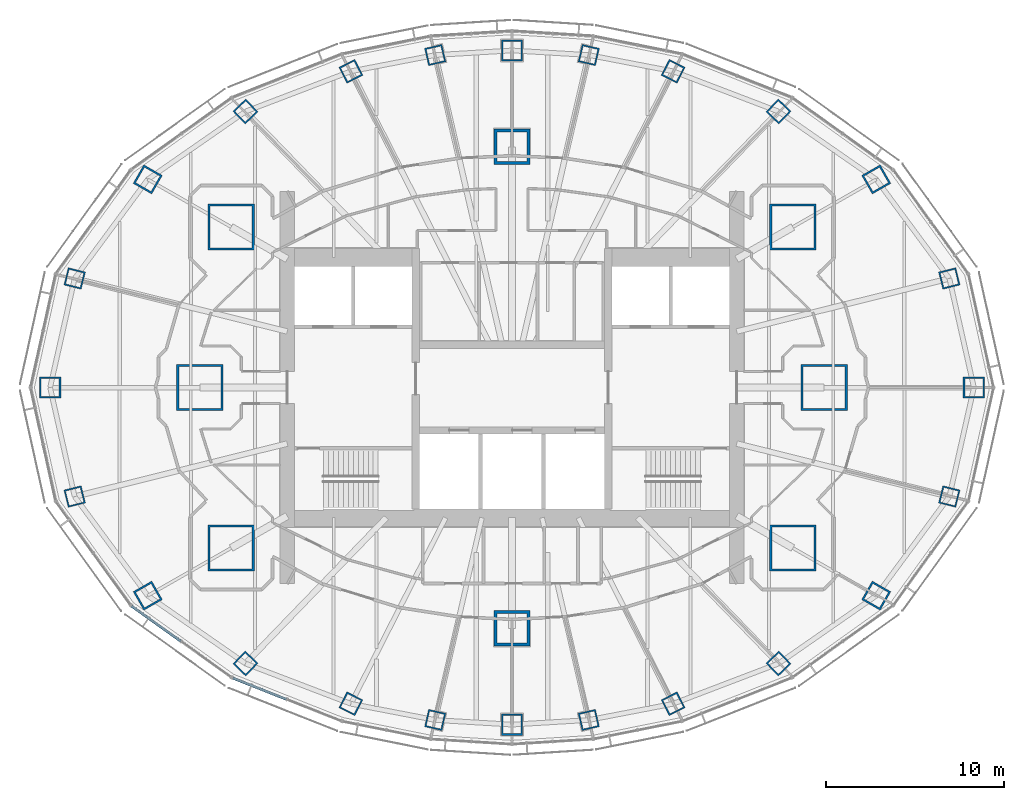
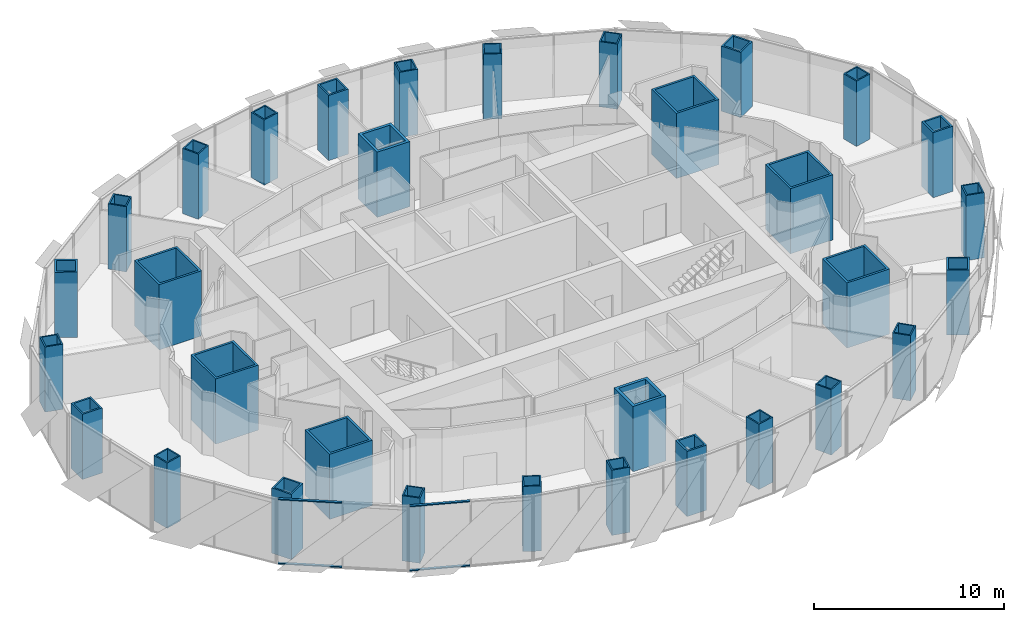
# One storey, part 1 of 19: 32 columns, 4 members, 2 elements without a shape of their own.
"""IFC4 building model written with IfcOpenShell, lengths in metres."""

from ifc_helpers import new_model, si_unit, direction, frame, origin, origin_2d, place, context, subcontext, project, spatial, rectangle, hollow_rectangle, extrude, material, material_profile, profile_set, type_object, element, aggregate, save


model = new_model("IFC4")

# Units and contexts
model_context = context("Model", 3, precision=1e-05, world=origin(), true_north=direction((0.0, 1.0)))
body_context = subcontext(model_context, "Body", "Model", "MODEL_VIEW")
ifc_project = project(units=[si_unit("LENGTHUNIT", "METRE"), si_unit("AREAUNIT", "SQUARE_METRE"), si_unit("VOLUMEUNIT", "CUBIC_METRE"), si_unit("PLANEANGLEUNIT", "RADIAN"), si_unit("MASSUNIT", "GRAM", prefix="KILO")], contexts=[model_context])

# Site, building, storey
site_placement = place(None, origin())
site = spatial("IfcSite", under=ifc_project, at=site_placement, CompositionType="ELEMENT")
building_placement = place(site_placement, origin())
building = spatial("IfcBuilding", under=site, at=building_placement, Name="Lantaw Convention Tower", CompositionType="ELEMENT")
storey_placement = place(building_placement, frame((0.0, 0.0, 249.39990234375)))
storey = spatial("IfcBuildingStorey", under=building, at=storey_placement, Name="L58", CompositionType="ELEMENT", Elevation=249.39990234375)

# Columns
ifc_material_1 = material(Name="Steel EN 10025-3 S460N", Category="steel")
ifc_material_profile_1 = material_profile(ifc_material_1, hollow_rectangle(XDim=2.0, YDim=2.0, WallThickness=0.169921875, at=origin_2d()), Name="BOX2000X170")
ifc_material_2 = material(Name="Concrete C60/75", Category="concrete")
ifc_material_profile_2 = material_profile(ifc_material_2, rectangle(XDim=1.659912109375, YDim=1.659912109375, at=origin_2d()), Name="Concrete fill of BOX2000X170")
ifc_profile_set_1 = profile_set([ifc_material_profile_1, ifc_material_profile_2], Name="Steel EN 10025-3 S460N")
column_type_1 = type_object("IfcColumnType", Name="Column MC BOX2000X170", PredefinedType="COLUMN", material=ifc_profile_set_1)
for number, where, z_axis, x_axis, name in (
    (1, (0.0, 13.5, 0.0), (0.0, 0.0, 1.0), (1.0, 0.0, 0.0), "Mega column M3"),
    (2, (0.0, -13.5, 0.0), (0.0, 0.0, 1.0), (1.0, 0.0, 0.0), "Mega column M7"),
):
    element("IfcColumn", number, at=place(storey_placement, frame(where, z_axis=z_axis, x_axis=x_axis)), inside=storey, type_object=column_type_1, Name=name, PredefinedType="COLUMN", context=body_context, shape_type="SweptSolid", body=[
        extrude(hollow_rectangle(XDim=2.0, YDim=2.0, WallThickness=0.169921875, at=origin_2d()), origin(), (0.0, 0.0, 1.0), 4.2001953125),
    ])
ifc_material_profile_3 = material_profile(ifc_material_1, hollow_rectangle(XDim=2.60009765625, YDim=2.60009765625, WallThickness=0.1298828125, at=origin_2d()), Name="BOX2600X130")
ifc_material_profile_4 = material_profile(ifc_material_2, rectangle(XDim=2.340087890625, YDim=2.340087890625, at=origin_2d()), Name="Concrete fill of BOX2600X130")
ifc_profile_set_2 = profile_set([ifc_material_profile_3, ifc_material_profile_4], Name="Steel EN 10025-3 S460N")
column_type_2 = type_object("IfcColumnType", Name="Column MC BOX2600X130", PredefinedType="COLUMN", material=ifc_profile_set_2)
for number, where, z_axis, x_axis, name in (
    (3, (17.5, 0.0, 0.0), (0.0, 0.0, 1.0), (1.0, 0.0, 0.0), "Mega column M1"),
    (4, (15.75, 9.0, 0.0), (0.0, 0.0, 1.0), (1.0, 0.0, 0.0), "Mega column M2"),
    (5, (-15.75, 9.0, 0.0), (0.0, 0.0, 1.0), (1.0, 0.0, 0.0), "Mega column M4"),
    (6, (-17.5, 0.0, 0.0), (0.0, 0.0, 1.0), (1.0, 0.0, 0.0), "Mega column M5"),
    (7, (-15.75, -9.0, 0.0), (0.0, 0.0, 1.0), (1.0, 0.0, 0.0), "Mega column M6"),
    (8, (15.75, -9.0, 0.0), (0.0, 0.0, 1.0), (1.0, 0.0, 0.0), "Mega column M8"),
):
    element("IfcColumn", number, at=place(storey_placement, frame(where, z_axis=z_axis, x_axis=x_axis)), inside=storey, type_object=column_type_2, Name=name, PredefinedType="COLUMN", context=body_context, shape_type="SweptSolid", body=[
        extrude(hollow_rectangle(XDim=2.60009765625, YDim=2.60009765625, WallThickness=0.1298828125, at=origin_2d()), origin(), (0.0, 0.0, 1.0), 4.2001953125),
    ])
ifc_material_3 = material(Name="Steel ASTM A572 Grade 50", Category="steel")
ifc_material_profile_5 = material_profile(ifc_material_3, hollow_rectangle(XDim=1.0, YDim=1.0, WallThickness=0.080078125, at=origin_2d()), Name="BOX1000X80")
ifc_material_profile_6 = material_profile(ifc_material_2, rectangle(XDim=0.840087890625, YDim=0.840087890625, at=origin_2d()), Name="Concrete fill of BOX1000X80")
ifc_profile_set_3 = profile_set([ifc_material_profile_5, ifc_material_profile_6], Name="Steel ASTM A572 Grade 50")
column_type_3 = type_object("IfcColumnType", Name="Column PC BOX1000X80", PredefinedType="COLUMN", material=ifc_profile_set_3)
for number, where, z_axis, x_axis, name in (
    (9, (24.52197265625, 6.114013671875, 0.0), (0.0, 0.0, 1.0), (0.970295726276, 0.2419218956, 0.0), "Perimeter column P2"),
    (10, (14.9443359375, 15.475341796875, 0.0), (0.0, 0.0, 1.0), (0.694658370459, 0.719339800339, 0.0), "Perimeter column P4"),
    (11, (9.03466796875, 17.7314453125, 0.0), (0.0, 0.0, 1.0), (0.45399049974, 0.891006524188, 0.0), "Perimeter column P5"),
    (12, (4.303955078125, 18.64208984375, 0.0), (0.0, 0.0, 1.0), (0.224951054344, 0.974370064785, 0.0), "Perimeter column P6"),
    (13, (-4.303955078125, 18.64208984375, 0.0), (0.0, 0.0, 1.0), (0.974370064785, 0.224951054344, 0.0), "Perimeter column P8"),
    (14, (-9.03466796875, 17.7314453125, 0.0), (0.0, 0.0, 1.0), (0.891006524188, 0.45399049974, 0.0), "Perimeter column P9"),
    (15, (-14.9443359375, 15.475341796875, 0.0), (0.0, 0.0, 1.0), (0.719339800339, 0.694658370459, 0.0), "Perimeter column P10"),
    (16, (-24.52197265625, 6.114013671875, 0.0), (0.0, 0.0, 1.0), (0.2419218956, 0.970295726276, 0.0), "Perimeter column P12"),
    (17, (-24.52197265625, -6.114013671875, 0.0), (0.0, 0.0, 1.0), (0.970295726276, 0.2419218956, 0.0), "Perimeter column P14"),
    (18, (-14.9443359375, -15.475341796875, 0.0), (0.0, 0.0, 1.0), (0.694658370459, 0.719339800339, 0.0), "Perimeter column P16"),
    (19, (-9.03466796875, -17.7314453125, 0.0), (0.0, 0.0, 1.0), (0.45399049974, 0.891006524188, 0.0), "Perimeter column P17"),
    (20, (-4.303955078125, -18.64208984375, 0.0), (0.0, 0.0, 1.0), (0.224951054344, 0.974370064785, 0.0), "Perimeter column P18"),
    (21, (4.303955078125, -18.64208984375, 0.0), (0.0, 0.0, 1.0), (0.974370064785, 0.224951054344, 0.0), "Perimeter column P20"),
    (22, (9.03466796875, -17.7314453125, 0.0), (0.0, 0.0, 1.0), (0.891006524188, 0.45399049974, 0.0), "Perimeter column P21"),
    (23, (14.9443359375, -15.475341796875, 0.0), (0.0, 0.0, 1.0), (0.719339800339, 0.694658370459, 0.0), "Perimeter column P22"),
    (24, (24.52197265625, -6.114013671875, 0.0), (0.0, 0.0, 1.0), (0.2419218956, 0.970295726276, 0.0), "Perimeter column P24"),
):
    element("IfcColumn", number, at=place(storey_placement, frame(where, z_axis=z_axis, x_axis=x_axis)), inside=storey, type_object=column_type_3, Name=name, PredefinedType="COLUMN", context=body_context, shape_type="SweptSolid", body=[
        extrude(hollow_rectangle(XDim=1.0, YDim=1.0, WallThickness=0.080078125, at=origin_2d()), origin(), (0.0, 0.0, 1.0), 4.2001953125),
    ])
ifc_material_profile_7 = material_profile(ifc_material_1, hollow_rectangle(XDim=1.199951171875, YDim=1.199951171875, WallThickness=0.10009765625, at=origin_2d()), Name="BOX1200X100")
ifc_material_profile_8 = material_profile(ifc_material_2, rectangle(XDim=1.0, YDim=1.0, at=origin_2d()), Name="Concrete fill of BOX1200X100")
ifc_profile_set_4 = profile_set([ifc_material_profile_7, ifc_material_profile_8], Name="Steel EN 10025-3 S460N")
column_type_4 = type_object("IfcColumnType", Name="Column PC BOX1200X100", PredefinedType="COLUMN", material=ifc_profile_set_4)
for number, where, z_axis, x_axis, name in (
    (25, (25.89990234375, 0.0, 0.0), (0.0, 0.0, 1.0), (1.0, 0.0, 0.0), "Perimeter column P1"),
    (26, (20.423095703125, 11.67041015625, 0.0), (0.0, 0.0, 1.0), (0.86824298017, 0.496139221777, 0.0), "Perimeter column P3"),
    (27, (0.0, 18.89990234375, 0.0), (0.0, 0.0, 1.0), (1.0, 0.0, 0.0), "Perimeter column P7"),
    (28, (-20.423095703125, 11.67041015625, 0.0), (0.0, 0.0, 1.0), (0.496139221777, 0.86824298017, 0.0), "Perimeter column P11"),
    (29, (-25.89990234375, 0.0, 0.0), (0.0, 0.0, 1.0), (1.0, 0.0, 0.0), "Perimeter column P13"),
    (30, (-20.423095703125, -11.67041015625, 0.0), (0.0, 0.0, 1.0), (0.86824298017, 0.496139221777, 0.0), "Perimeter column P15"),
    (31, (0.0, -18.89990234375, 0.0), (0.0, 0.0, 1.0), (1.0, 0.0, 0.0), "Perimeter column P19"),
    (32, (20.423095703125, -11.67041015625, 0.0), (0.0, 0.0, 1.0), (0.496139221777, 0.86824298017, 0.0), "Perimeter column P23"),
):
    element("IfcColumn", number, at=place(storey_placement, frame(where, z_axis=z_axis, x_axis=x_axis)), inside=storey, type_object=column_type_4, Name=name, PredefinedType="COLUMN", context=body_context, shape_type="SweptSolid", body=[
        extrude(hollow_rectangle(XDim=1.199951171875, YDim=1.199951171875, WallThickness=0.10009765625, at=origin_2d()), origin(), (0.0, 0.0, 1.0), 4.2001953125),
    ])

# Curtain wall, members
ifc_material_4 = material(Name="Aluminium framed curtain wall", Category="aluminium")
curtain_wall_type = type_object("IfcCurtainWallType", Name="Office curtain wall high rise, pale aluminium", PredefinedType="USERDEFINED", material=ifc_material_4)
curtain_wall_1_placement = place(storey_placement, origin())
curtain_wall_1 = element("IfcCurtainWall", 33, at=curtain_wall_1_placement, inside=storey, type_object=curtain_wall_type, Name="Office curtain wall high rise, pale aluminium L58", ObjectType="UNITISED CURTAIN WALL", PredefinedType="USERDEFINED")
ifc_material_5 = material(Name="Aluminium 6063-T6", Category="aluminium")
ifc_material_profile_9 = material_profile(ifc_material_5, rectangle(XDim=0.14990234375, YDim=0.06494140625, at=origin_2d()), Name="CW-O2 transom 65x150")
ifc_profile_set_5 = profile_set([ifc_material_profile_9], Name="Aluminium 6063-T6")
member_type = type_object("IfcMemberType", Name="CW-O2 transom 65x150", PredefinedType="USERDEFINED", material=ifc_profile_set_5)
member_1_placement = place(storey_placement, frame((-21.3251953125, -12.25390625, -0.117431640625), z_axis=(0.813679882592, -0.581313210468, 0.0), x_axis=(0.581313210468, 0.813679882592, 0.0)))
member_1 = element("IfcMember", 34, at=member_1_placement, type_object=member_type, Name="CW-O2 transom 1.1", ObjectType="TRANSOM", PredefinedType="USERDEFINED", context=body_context, shape_type="SweptSolid", body=[
    extrude(rectangle(XDim=0.14990234375, YDim=0.06494140625, at=origin_2d()), origin(), (0.0, 0.0, 1.0), 3.38623046875),
])
member_2_placement = place(storey_placement, frame((-21.3251953125, -12.25390625, 4.017578125), z_axis=(0.813679882592, -0.581313210468, 0.0), x_axis=(0.581313210468, 0.813679882592, 0.0)))
member_2 = element("IfcMember", 35, at=member_2_placement, type_object=member_type, Name="CW-O2 transom 1.2", ObjectType="TRANSOM", PredefinedType="USERDEFINED", context=body_context, shape_type="SweptSolid", body=[
    extrude(rectangle(XDim=0.14990234375, YDim=0.06494140625, at=origin_2d()), origin(), (0.0, 0.0, 1.0), 3.38623046875),
])
aggregate(curtain_wall_1, [member_1, member_2])

curtain_wall_2_placement = place(storey_placement, origin())
curtain_wall_2 = element("IfcCurtainWall", 36, at=curtain_wall_2_placement, inside=storey, type_object=curtain_wall_type, Name="Office curtain wall high rise, pale aluminium L58", ObjectType="UNITISED CURTAIN WALL", PredefinedType="USERDEFINED")
member_3_placement = place(storey_placement, frame((-15.648193359375, -16.29052734375, -0.117431640625), z_axis=(0.929740712354, -0.368214893495, 0.0), x_axis=(0.368214893495, 0.929740712354, 0.0)))
member_3 = element("IfcMember", 37, at=member_3_placement, type_object=member_type, Name="CW-O2 transom 1.1", ObjectType="TRANSOM", PredefinedType="USERDEFINED", context=body_context, shape_type="SweptSolid", body=[
    extrude(rectangle(XDim=0.14990234375, YDim=0.06494140625, at=origin_2d()), origin(), (0.0, 0.0, 1.0), 3.22314453125),
])
member_4_placement = place(storey_placement, frame((-15.648193359375, -16.29052734375, 4.017578125), z_axis=(0.929740712354, -0.368214893495, 0.0), x_axis=(0.368214893495, 0.929740712354, 0.0)))
member_4 = element("IfcMember", 38, at=member_4_placement, type_object=member_type, Name="CW-O2 transom 1.2", ObjectType="TRANSOM", PredefinedType="USERDEFINED", context=body_context, shape_type="SweptSolid", body=[
    extrude(rectangle(XDim=0.14990234375, YDim=0.06494140625, at=origin_2d()), origin(), (0.0, 0.0, 1.0), 3.22314453125),
])
aggregate(curtain_wall_2, [member_3, member_4])

save(model, "model.ifc")
